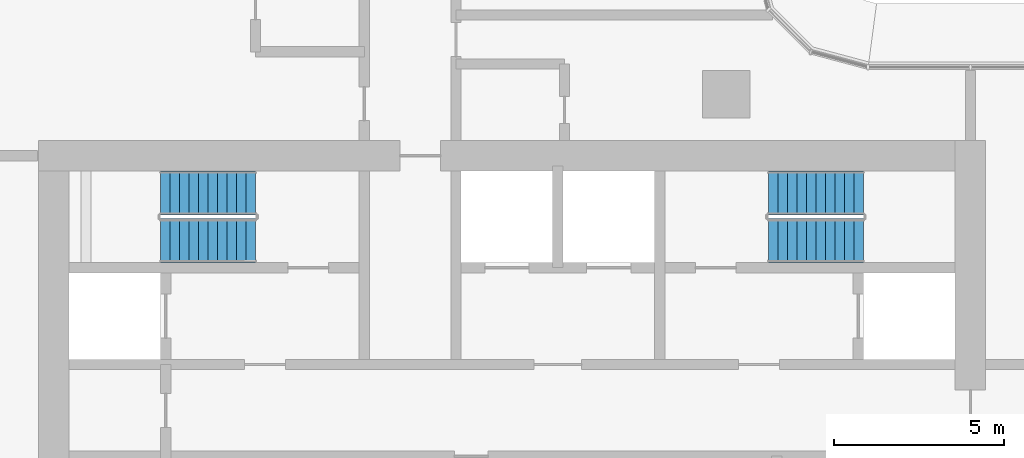
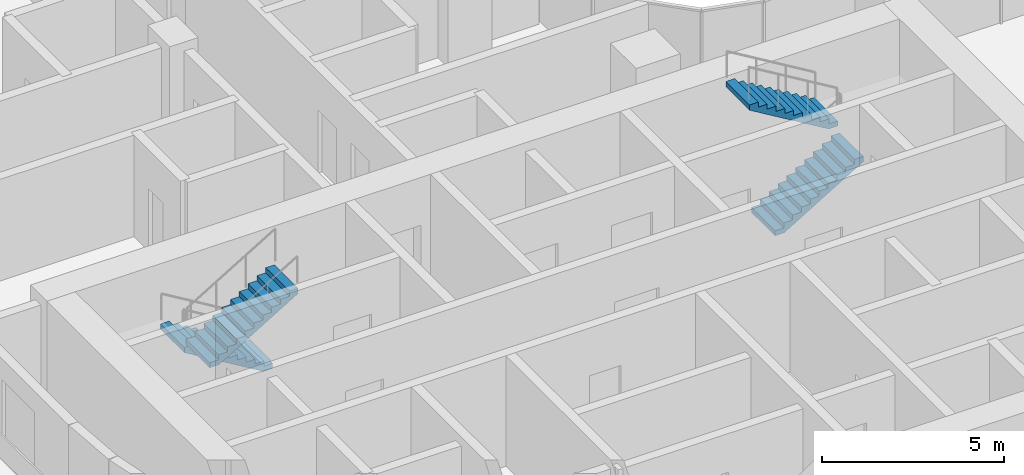
# One storey, part 25 of 36: 4 stair flights, 2 elements without a shape of their own.
"""IFC4 building model written with IfcOpenShell, lengths in metres."""

from ifc_helpers import new_model, si_unit, direction, frame, origin, place, context, subcontext, project, spatial, triangles, source, transform, mapped, material, type_object, element, aggregate, save


model = new_model("IFC4")

# Units and contexts
model_context = context("Model", 3, precision=1e-05, world=origin(), true_north=direction((0.0, 1.0)))
body_context = subcontext(model_context, "Body", "Model", "MODEL_VIEW")
ifc_project = project(units=[si_unit("LENGTHUNIT", "METRE"), si_unit("AREAUNIT", "SQUARE_METRE"), si_unit("VOLUMEUNIT", "CUBIC_METRE"), si_unit("PLANEANGLEUNIT", "RADIAN"), si_unit("MASSUNIT", "GRAM", prefix="KILO")], contexts=[model_context])

# Site, building, storey
site_placement = place(None, origin())
site = spatial("IfcSite", under=ifc_project, at=site_placement, CompositionType="ELEMENT")
building_placement = place(site_placement, origin())
building = spatial("IfcBuilding", under=site, at=building_placement, Name="Ogive Portal Towers", CompositionType="ELEMENT")
storey_placement = place(building_placement, frame((0.0, 0.0, 63.10009765625)))
storey = spatial("IfcBuildingStorey", under=building, at=storey_placement, Name="L14", CompositionType="ELEMENT", Elevation=63.10009765625)

# Stair, stair flights
ifc_material = material(Name="Concrete C40/50", Category="concrete")
stair_type = type_object("IfcStairType", Name="INT-STAIR", PredefinedType="HALF_TURN_STAIR", material=ifc_material)
stair_1_placement = place(storey_placement, origin())
stair_1 = element("IfcStair", 1, at=stair_1_placement, inside=storey, type_object=stair_type, Name="L14 Exit Stair ST-A1", PredefinedType="HALF_TURN_STAIR")
stair_flight_type = type_object("IfcStairFlightType", Name="INT-FLIGHT", PredefinedType="STRAIGHT", material=ifc_material)
shared_shape = source(origin(), body_context, "Body", "Tessellation", [
    triangles([(0.0, -0.650146484375, 0.0), (0.0, -0.376220703125, 0.0), (0.0, -0.192626953125, 0.0), (0.0, -0.081298828125, 0.0), (0.0, -0.024169921875, 0.0), (0.0, -0.003173828125, 0.0), (0.0, 0.0, 0.0), (0.0, 0.0029296875, 0.0), (0.0, 0.02392578125, 0.0), (0.0, 0.0810546875, 0.0), (0.0, 0.1923828125, 0.0), (0.0, 0.3759765625, 0.0), (0.0, 0.64990234375, 0.0), (0.0, -0.650146484375, 0.168212890625), (0.0, -0.376220703125, 0.168212890625), (0.0, -0.192626953125, 0.168212890625), (0.0, -0.081298828125, 0.168212890625), (0.0, -0.024169921875, 0.168212890625), (0.0, -0.003173828125, 0.168212890625), (0.0, 0.0, 0.168212890625), (0.0, 0.0029296875, 0.168212890625), (0.0, 0.02392578125, 0.168212890625), (0.0, 0.0810546875, 0.168212890625), (0.0, 0.1923828125, 0.168212890625), (0.0, 0.3759765625, 0.168212890625), (0.0, 0.64990234375, 0.168212890625), (0.280029296875, -0.650146484375, 0.168212890625), (0.280029296875, -0.376220703125, 0.168212890625), (0.280029296875, -0.192626953125, 0.168212890625), (0.280029296875, -0.081298828125, 0.168212890625), (0.280029296875, -0.024169921875, 0.168212890625), (0.280029296875, -0.003173828125, 0.168212890625), (0.280029296875, 0.0, 0.168212890625), (0.280029296875, 0.0029296875, 0.168212890625), (0.280029296875, 0.02392578125, 0.168212890625), (0.280029296875, 0.0810546875, 0.168212890625), (0.280029296875, 0.1923828125, 0.168212890625), (0.280029296875, 0.3759765625, 0.168212890625), (0.280029296875, 0.64990234375, 0.168212890625), (0.280029296875, -0.650146484375, 0.33642578125), (0.280029296875, -0.376220703125, 0.33642578125), (0.280029296875, -0.192626953125, 0.33642578125), (0.280029296875, -0.081298828125, 0.33642578125), (0.280029296875, -0.024169921875, 0.33642578125), (0.280029296875, -0.003173828125, 0.33642578125), (0.280029296875, 0.0, 0.33642578125), (0.280029296875, 0.0029296875, 0.33642578125), (0.280029296875, 0.02392578125, 0.33642578125), (0.280029296875, 0.0810546875, 0.33642578125), (0.280029296875, 0.1923828125, 0.33642578125), (0.280029296875, 0.3759765625, 0.33642578125), (0.280029296875, 0.64990234375, 0.33642578125), (0.56005859375, -0.650146484375, 0.33642578125), (0.56005859375, -0.376220703125, 0.33642578125), (0.56005859375, -0.192626953125, 0.33642578125), (0.56005859375, -0.081298828125, 0.33642578125), (0.56005859375, -0.024169921875, 0.33642578125), (0.56005859375, -0.003173828125, 0.33642578125), (0.56005859375, 0.0, 0.33642578125), (0.56005859375, 0.0029296875, 0.33642578125), (0.56005859375, 0.02392578125, 0.33642578125), (0.56005859375, 0.0810546875, 0.33642578125), (0.56005859375, 0.1923828125, 0.33642578125), (0.56005859375, 0.3759765625, 0.33642578125), (0.56005859375, 0.64990234375, 0.33642578125), (0.56005859375, -0.650146484375, 0.504638671875), (0.56005859375, -0.376220703125, 0.504638671875), (0.56005859375, -0.192626953125, 0.504638671875), (0.56005859375, -0.081298828125, 0.504638671875), (0.56005859375, -0.024169921875, 0.504638671875), (0.56005859375, -0.003173828125, 0.504638671875), (0.56005859375, 0.0, 0.504638671875), (0.56005859375, 0.0029296875, 0.504638671875), (0.56005859375, 0.02392578125, 0.504638671875), (0.56005859375, 0.0810546875, 0.504638671875), (0.56005859375, 0.1923828125, 0.504638671875), (0.56005859375, 0.3759765625, 0.504638671875), (0.56005859375, 0.64990234375, 0.504638671875), (0.840087890625, -0.650146484375, 0.504638671875), (0.840087890625, -0.376220703125, 0.504638671875), (0.840087890625, -0.192626953125, 0.504638671875), (0.840087890625, -0.081298828125, 0.504638671875), (0.840087890625, -0.024169921875, 0.504638671875), (0.840087890625, -0.003173828125, 0.504638671875), (0.840087890625, 0.0, 0.504638671875), (0.840087890625, 0.0029296875, 0.504638671875), (0.840087890625, 0.02392578125, 0.504638671875), (0.840087890625, 0.0810546875, 0.504638671875), (0.840087890625, 0.1923828125, 0.504638671875), (0.840087890625, 0.3759765625, 0.504638671875), (0.840087890625, 0.64990234375, 0.504638671875), (0.840087890625, -0.650146484375, 0.672607421875), (0.840087890625, -0.376220703125, 0.672607421875), (0.840087890625, -0.192626953125, 0.672607421875), (0.840087890625, -0.081298828125, 0.672607421875), (0.840087890625, -0.024169921875, 0.672607421875), (0.840087890625, -0.003173828125, 0.672607421875), (0.840087890625, 0.0, 0.672607421875), (0.840087890625, 0.0029296875, 0.672607421875), (0.840087890625, 0.02392578125, 0.672607421875), (0.840087890625, 0.0810546875, 0.672607421875), (0.840087890625, 0.1923828125, 0.672607421875), (0.840087890625, 0.3759765625, 0.672607421875), (0.840087890625, 0.64990234375, 0.672607421875), (1.1201171875, -0.650146484375, 0.672607421875), (1.1201171875, -0.376220703125, 0.672607421875), (1.1201171875, -0.192626953125, 0.672607421875), (1.1201171875, -0.081298828125, 0.672607421875), (1.1201171875, -0.024169921875, 0.672607421875), (1.1201171875, -0.003173828125, 0.672607421875), (1.1201171875, 0.0, 0.672607421875), (1.1201171875, 0.0029296875, 0.672607421875), (1.1201171875, 0.02392578125, 0.672607421875), (1.1201171875, 0.0810546875, 0.672607421875), (1.1201171875, 0.1923828125, 0.672607421875), (1.1201171875, 0.3759765625, 0.672607421875), (1.1201171875, 0.64990234375, 0.672607421875), (1.1201171875, -0.650146484375, 0.8408203125), (1.1201171875, -0.376220703125, 0.8408203125), (1.1201171875, -0.192626953125, 0.8408203125), (1.1201171875, -0.081298828125, 0.8408203125), (1.1201171875, -0.024169921875, 0.8408203125), (1.1201171875, -0.003173828125, 0.8408203125), (1.1201171875, 0.0, 0.8408203125), (1.1201171875, 0.0029296875, 0.8408203125), (1.1201171875, 0.02392578125, 0.8408203125), (1.1201171875, 0.0810546875, 0.8408203125), (1.1201171875, 0.1923828125, 0.8408203125), (1.1201171875, 0.3759765625, 0.8408203125), (1.1201171875, 0.64990234375, 0.8408203125), (1.39990234375, -0.650146484375, 0.8408203125), (1.39990234375, -0.376220703125, 0.8408203125), (1.39990234375, -0.192626953125, 0.8408203125), (1.39990234375, -0.081298828125, 0.8408203125), (1.39990234375, -0.024169921875, 0.8408203125), (1.39990234375, -0.003173828125, 0.8408203125), (1.39990234375, 0.0, 0.8408203125), (1.39990234375, 0.0029296875, 0.8408203125), (1.39990234375, 0.02392578125, 0.8408203125), (1.39990234375, 0.0810546875, 0.8408203125), (1.39990234375, 0.1923828125, 0.8408203125), (1.39990234375, 0.3759765625, 0.8408203125), (1.39990234375, 0.64990234375, 0.8408203125), (1.39990234375, -0.650146484375, 1.009033203125), (1.39990234375, -0.376220703125, 1.009033203125), (1.39990234375, -0.192626953125, 1.009033203125), (1.39990234375, -0.081298828125, 1.009033203125), (1.39990234375, -0.024169921875, 1.009033203125), (1.39990234375, -0.003173828125, 1.009033203125), (1.39990234375, 0.0, 1.009033203125), (1.39990234375, 0.0029296875, 1.009033203125), (1.39990234375, 0.02392578125, 1.009033203125), (1.39990234375, 0.0810546875, 1.009033203125), (1.39990234375, 0.1923828125, 1.009033203125), (1.39990234375, 0.3759765625, 1.009033203125), (1.39990234375, 0.64990234375, 1.009033203125), (1.679931640625, -0.650146484375, 1.009033203125), (1.679931640625, -0.376220703125, 1.009033203125), (1.679931640625, -0.192626953125, 1.009033203125), (1.679931640625, -0.081298828125, 1.009033203125), (1.679931640625, -0.024169921875, 1.009033203125), (1.679931640625, -0.003173828125, 1.009033203125), (1.679931640625, 0.0, 1.009033203125), (1.679931640625, 0.0029296875, 1.009033203125), (1.679931640625, 0.02392578125, 1.009033203125), (1.679931640625, 0.0810546875, 1.009033203125), (1.679931640625, 0.1923828125, 1.009033203125), (1.679931640625, 0.3759765625, 1.009033203125), (1.679931640625, 0.64990234375, 1.009033203125), (1.679931640625, -0.650146484375, 1.17724609375), (1.679931640625, -0.376220703125, 1.17724609375), (1.679931640625, -0.192626953125, 1.17724609375), (1.679931640625, -0.081298828125, 1.17724609375), (1.679931640625, -0.024169921875, 1.17724609375), (1.679931640625, -0.003173828125, 1.17724609375), (1.679931640625, 0.0, 1.17724609375), (1.679931640625, 0.0029296875, 1.17724609375), (1.679931640625, 0.02392578125, 1.17724609375), (1.679931640625, 0.0810546875, 1.17724609375), (1.679931640625, 0.1923828125, 1.17724609375), (1.679931640625, 0.3759765625, 1.17724609375), (1.679931640625, 0.64990234375, 1.17724609375), (1.9599609375, -0.650146484375, 1.17724609375), (1.9599609375, -0.376220703125, 1.17724609375), (1.9599609375, -0.192626953125, 1.17724609375), (1.9599609375, -0.081298828125, 1.17724609375), (1.9599609375, -0.024169921875, 1.17724609375), (1.9599609375, -0.003173828125, 1.17724609375), (1.9599609375, 0.0, 1.17724609375), (1.9599609375, 0.0029296875, 1.17724609375), (1.9599609375, 0.02392578125, 1.17724609375), (1.9599609375, 0.0810546875, 1.17724609375), (1.9599609375, 0.1923828125, 1.17724609375), (1.9599609375, 0.3759765625, 1.17724609375), (1.9599609375, 0.64990234375, 1.17724609375), (1.9599609375, -0.650146484375, 1.345458984375), (1.9599609375, -0.376220703125, 1.345458984375), (1.9599609375, -0.192626953125, 1.345458984375), (1.9599609375, -0.081298828125, 1.345458984375), (1.9599609375, -0.024169921875, 1.345458984375), (1.9599609375, -0.003173828125, 1.345458984375), (1.9599609375, 0.0, 1.345458984375), (1.9599609375, 0.0029296875, 1.345458984375), (1.9599609375, 0.02392578125, 1.345458984375), (1.9599609375, 0.0810546875, 1.345458984375), (1.9599609375, 0.1923828125, 1.345458984375), (1.9599609375, 0.3759765625, 1.345458984375), (1.9599609375, 0.64990234375, 1.345458984375), (2.239990234375, -0.650146484375, 1.345458984375), (2.239990234375, -0.376220703125, 1.345458984375), (2.239990234375, -0.192626953125, 1.345458984375), (2.239990234375, -0.081298828125, 1.345458984375), (2.239990234375, -0.024169921875, 1.345458984375), (2.239990234375, -0.003173828125, 1.345458984375), (2.239990234375, 0.0, 1.345458984375), (2.239990234375, 0.0029296875, 1.345458984375), (2.239990234375, 0.02392578125, 1.345458984375), (2.239990234375, 0.0810546875, 1.345458984375), (2.239990234375, 0.1923828125, 1.345458984375), (2.239990234375, 0.3759765625, 1.345458984375), (2.239990234375, 0.64990234375, 1.345458984375), (2.239990234375, -0.650146484375, 1.513671875), (2.239990234375, -0.376220703125, 1.513671875), (2.239990234375, -0.192626953125, 1.513671875), (2.239990234375, -0.081298828125, 1.513671875), (2.239990234375, -0.024169921875, 1.513671875), (2.239990234375, -0.003173828125, 1.513671875), (2.239990234375, 0.0, 1.513671875), (2.239990234375, 0.0029296875, 1.513671875), (2.239990234375, 0.02392578125, 1.513671875), (2.239990234375, 0.0810546875, 1.513671875), (2.239990234375, 0.1923828125, 1.513671875), (2.239990234375, 0.3759765625, 1.513671875), (2.239990234375, 0.64990234375, 1.513671875), (2.52001953125, -0.650146484375, 1.513671875), (2.52001953125, -0.376220703125, 1.513671875), (2.52001953125, -0.192626953125, 1.513671875), (2.52001953125, -0.081298828125, 1.513671875), (2.52001953125, -0.024169921875, 1.513671875), (2.52001953125, -0.003173828125, 1.513671875), (2.52001953125, 0.0, 1.513671875), (2.52001953125, 0.0029296875, 1.513671875), (2.52001953125, 0.02392578125, 1.513671875), (2.52001953125, 0.0810546875, 1.513671875), (2.52001953125, 0.1923828125, 1.513671875), (2.52001953125, 0.3759765625, 1.513671875), (2.52001953125, 0.64990234375, 1.513671875), (2.52001953125, -0.650146484375, 1.681884765625), (2.52001953125, -0.376220703125, 1.681884765625), (2.52001953125, -0.192626953125, 1.681884765625), (2.52001953125, -0.081298828125, 1.681884765625), (2.52001953125, -0.024169921875, 1.681884765625), (2.52001953125, -0.003173828125, 1.681884765625), (2.52001953125, 0.0, 1.681884765625), (2.52001953125, 0.0029296875, 1.681884765625), (2.52001953125, 0.02392578125, 1.681884765625), (2.52001953125, 0.0810546875, 1.681884765625), (2.52001953125, 0.1923828125, 1.681884765625), (2.52001953125, 0.3759765625, 1.681884765625), (2.52001953125, 0.64990234375, 1.681884765625), (2.800048828125, -0.650146484375, 1.681884765625), (2.800048828125, -0.376220703125, 1.681884765625), (2.800048828125, -0.192626953125, 1.681884765625), (2.800048828125, -0.081298828125, 1.681884765625), (2.800048828125, -0.024169921875, 1.681884765625), (2.800048828125, -0.003173828125, 1.681884765625), (2.800048828125, 0.0, 1.681884765625), (2.800048828125, 0.0029296875, 1.681884765625), (2.800048828125, 0.02392578125, 1.681884765625), (2.800048828125, 0.0810546875, 1.681884765625), (2.800048828125, 0.1923828125, 1.681884765625), (2.800048828125, 0.3759765625, 1.681884765625), (2.800048828125, 0.64990234375, 1.681884765625), (2.800048828125, -0.650146484375, 1.5068359375), (2.800048828125, -0.376220703125, 1.5068359375), (2.800048828125, -0.192626953125, 1.5068359375), (2.800048828125, -0.081298828125, 1.5068359375), (2.800048828125, -0.024169921875, 1.5068359375), (2.800048828125, -0.003173828125, 1.5068359375), (2.800048828125, 0.0, 1.5068359375), (2.800048828125, 0.0029296875, 1.5068359375), (2.800048828125, 0.02392578125, 1.5068359375), (2.800048828125, 0.0810546875, 1.5068359375), (2.800048828125, 0.1923828125, 1.5068359375), (2.800048828125, 0.3759765625, 1.5068359375), (2.800048828125, 0.64990234375, 1.5068359375), (0.291015625, -0.650146484375, 0.0), (0.291015625, -0.376220703125, 0.0), (0.291015625, -0.192626953125, 0.0), (0.291015625, -0.081298828125, 0.0), (0.291015625, -0.024169921875, 0.0), (0.291015625, -0.003173828125, 0.0), (0.291015625, 0.0, 0.0), (0.291015625, 0.0029296875, 0.0), (0.291015625, 0.02392578125, 0.0), (0.291015625, 0.0810546875, 0.0), (0.291015625, 0.1923828125, 0.0), (0.291015625, 0.3759765625, 0.0), (0.291015625, 0.64990234375, 0.0)], [[1, 14, 15], [1, 15, 2], [2, 15, 16], [2, 16, 3], [3, 16, 17], [3, 17, 4], [4, 17, 18], [4, 18, 5], [5, 18, 19], [5, 19, 6], [6, 19, 20], [6, 20, 7], [7, 20, 21], [7, 21, 8], [8, 21, 22], [8, 22, 9], [9, 22, 23], [9, 23, 10], [10, 23, 24], [10, 24, 11], [11, 24, 25], [11, 25, 12], [12, 25, 26], [12, 26, 13], [14, 27, 28], [14, 28, 15], [15, 28, 29], [15, 29, 16], [16, 29, 30], [16, 30, 17], [17, 30, 31], [17, 31, 18], [18, 31, 32], [18, 32, 19], [19, 32, 33], [19, 33, 20], [20, 33, 34], [20, 34, 21], [21, 34, 35], [21, 35, 22], [22, 35, 36], [22, 36, 23], [23, 36, 37], [23, 37, 24], [24, 37, 38], [24, 38, 25], [25, 38, 39], [25, 39, 26], [27, 40, 41], [27, 41, 28], [28, 41, 42], [28, 42, 29], [29, 42, 43], [29, 43, 30], [30, 43, 44], [30, 44, 31], [31, 44, 45], [31, 45, 32], [32, 45, 46], [32, 46, 33], [33, 46, 47], [33, 47, 34], [34, 47, 48], [34, 48, 35], [35, 48, 49], [35, 49, 36], [36, 49, 50], [36, 50, 37], [37, 50, 51], [37, 51, 38], [38, 51, 52], [38, 52, 39], [40, 53, 54], [40, 54, 41], [41, 54, 55], [41, 55, 42], [42, 55, 56], [42, 56, 43], [43, 56, 57], [43, 57, 44], [44, 57, 58], [44, 58, 45], [45, 58, 59], [45, 59, 46], [46, 59, 60], [46, 60, 47], [47, 60, 61], [47, 61, 48], [48, 61, 62], [48, 62, 49], [49, 62, 63], [49, 63, 50], [50, 63, 64], [50, 64, 51], [51, 64, 65], [51, 65, 52], [53, 66, 67], [53, 67, 54], [54, 67, 68], [54, 68, 55], [55, 68, 69], [55, 69, 56], [56, 69, 70], [56, 70, 57], [57, 70, 71], [57, 71, 58], [58, 71, 72], [58, 72, 59], [59, 72, 73], [59, 73, 60], [60, 73, 74], [60, 74, 61], [61, 74, 75], [61, 75, 62], [62, 75, 76], [62, 76, 63], [63, 76, 77], [63, 77, 64], [64, 77, 78], [64, 78, 65], [66, 79, 80], [66, 80, 67], [67, 80, 81], [67, 81, 68], [68, 81, 82], [68, 82, 69], [69, 82, 83], [69, 83, 70], [70, 83, 84], [70, 84, 71], [71, 84, 85], [71, 85, 72], [72, 85, 86], [72, 86, 73], [73, 86, 87], [73, 87, 74], [74, 87, 88], [74, 88, 75], [75, 88, 89], [75, 89, 76], [76, 89, 90], [76, 90, 77], [77, 90, 91], [77, 91, 78], [79, 92, 93], [79, 93, 80], [80, 93, 94], [80, 94, 81], [81, 94, 95], [81, 95, 82], [82, 95, 96], [82, 96, 83], [83, 96, 97], [83, 97, 84], [84, 97, 98], [84, 98, 85], [85, 98, 99], [85, 99, 86], [86, 99, 100], [86, 100, 87], [87, 100, 101], [87, 101, 88], [88, 101, 102], [88, 102, 89], [89, 102, 103], [89, 103, 90], [90, 103, 104], [90, 104, 91], [92, 105, 106], [92, 106, 93], [93, 106, 107], [93, 107, 94], [94, 107, 108], [94, 108, 95], [95, 108, 109], [95, 109, 96], [96, 109, 110], [96, 110, 97], [97, 110, 111], [97, 111, 98], [98, 111, 112], [98, 112, 99], [99, 112, 113], [99, 113, 100], [100, 113, 114], [100, 114, 101], [101, 114, 115], [101, 115, 102], [102, 115, 116], [102, 116, 103], [103, 116, 117], [103, 117, 104], [105, 118, 119], [105, 119, 106], [106, 119, 120], [106, 120, 107], [107, 120, 121], [107, 121, 108], [108, 121, 122], [108, 122, 109], [109, 122, 123], [109, 123, 110], [110, 123, 124], [110, 124, 111], [111, 124, 125], [111, 125, 112], [112, 125, 126], [112, 126, 113], [113, 126, 127], [113, 127, 114], [114, 127, 128], [114, 128, 115], [115, 128, 129], [115, 129, 116], [116, 129, 130], [116, 130, 117], [118, 131, 132], [118, 132, 119], [119, 132, 133], [119, 133, 120], [120, 133, 134], [120, 134, 121], [121, 134, 135], [121, 135, 122], [122, 135, 136], [122, 136, 123], [123, 136, 137], [123, 137, 124], [124, 137, 138], [124, 138, 125], [125, 138, 139], [125, 139, 126], [126, 139, 140], [126, 140, 127], [127, 140, 141], [127, 141, 128], [128, 141, 142], [128, 142, 129], [129, 142, 143], [129, 143, 130], [131, 144, 145], [131, 145, 132], [132, 145, 146], [132, 146, 133], [133, 146, 147], [133, 147, 134], [134, 147, 148], [134, 148, 135], [135, 148, 149], [135, 149, 136], [136, 149, 150], [136, 150, 137], [137, 150, 151], [137, 151, 138], [138, 151, 152], [138, 152, 139], [139, 152, 153], [139, 153, 140], [140, 153, 154], [140, 154, 141], [141, 154, 155], [141, 155, 142], [142, 155, 156], [142, 156, 143], [144, 157, 158], [144, 158, 145], [145, 158, 159], [145, 159, 146], [146, 159, 160], [146, 160, 147], [147, 160, 161], [147, 161, 148], [148, 161, 162], [148, 162, 149], [149, 162, 163], [149, 163, 150], [150, 163, 164], [150, 164, 151], [151, 164, 165], [151, 165, 152], [152, 165, 166], [152, 166, 153], [153, 166, 167], [153, 167, 154], [154, 167, 168], [154, 168, 155], [155, 168, 169], [155, 169, 156], [157, 170, 171], [157, 171, 158], [158, 171, 172], [158, 172, 159], [159, 172, 173], [159, 173, 160], [160, 173, 174], [160, 174, 161], [161, 174, 175], [161, 175, 162], [162, 175, 176], [162, 176, 163], [163, 176, 177], [163, 177, 164], [164, 177, 178], [164, 178, 165], [165, 178, 179], [165, 179, 166], [166, 179, 180], [166, 180, 167], [167, 180, 181], [167, 181, 168], [168, 181, 182], [168, 182, 169], [170, 183, 184], [170, 184, 171], [171, 184, 185], [171, 185, 172], [172, 185, 186], [172, 186, 173], [173, 186, 187], [173, 187, 174], [174, 187, 188], [174, 188, 175], [175, 188, 189], [175, 189, 176], [176, 189, 190], [176, 190, 177], [177, 190, 191], [177, 191, 178], [178, 191, 192], [178, 192, 179], [179, 192, 193], [179, 193, 180], [180, 193, 194], [180, 194, 181], [181, 194, 195], [181, 195, 182], [183, 196, 197], [183, 197, 184], [184, 197, 198], [184, 198, 185], [185, 198, 199], [185, 199, 186], [186, 199, 200], [186, 200, 187], [187, 200, 201], [187, 201, 188], [188, 201, 202], [188, 202, 189], [189, 202, 203], [189, 203, 190], [190, 203, 204], [190, 204, 191], [191, 204, 205], [191, 205, 192], [192, 205, 206], [192, 206, 193], [193, 206, 207], [193, 207, 194], [194, 207, 208], [194, 208, 195], [196, 209, 210], [196, 210, 197], [197, 210, 211], [197, 211, 198], [198, 211, 212], [198, 212, 199], [199, 212, 213], [199, 213, 200], [200, 213, 214], [200, 214, 201], [201, 214, 215], [201, 215, 202], [202, 215, 216], [202, 216, 203], [203, 216, 217], [203, 217, 204], [204, 217, 218], [204, 218, 205], [205, 218, 219], [205, 219, 206], [206, 219, 220], [206, 220, 207], [207, 220, 221], [207, 221, 208], [209, 222, 223], [209, 223, 210], [210, 223, 224], [210, 224, 211], [211, 224, 225], [211, 225, 212], [212, 225, 226], [212, 226, 213], [213, 226, 227], [213, 227, 214], [214, 227, 228], [214, 228, 215], [215, 228, 229], [215, 229, 216], [216, 229, 230], [216, 230, 217], [217, 230, 231], [217, 231, 218], [218, 231, 232], [218, 232, 219], [219, 232, 233], [219, 233, 220], [220, 233, 234], [220, 234, 221], [222, 235, 236], [222, 236, 223], [223, 236, 237], [223, 237, 224], [224, 237, 238], [224, 238, 225], [225, 238, 239], [225, 239, 226], [226, 239, 240], [226, 240, 227], [227, 240, 241], [227, 241, 228], [228, 241, 242], [228, 242, 229], [229, 242, 243], [229, 243, 230], [230, 243, 244], [230, 244, 231], [231, 244, 245], [231, 245, 232], [232, 245, 246], [232, 246, 233], [233, 246, 247], [233, 247, 234], [235, 248, 249], [235, 249, 236], [236, 249, 250], [236, 250, 237], [237, 250, 251], [237, 251, 238], [238, 251, 252], [238, 252, 239], [239, 252, 253], [239, 253, 240], [240, 253, 254], [240, 254, 241], [241, 254, 255], [241, 255, 242], [242, 255, 256], [242, 256, 243], [243, 256, 257], [243, 257, 244], [244, 257, 258], [244, 258, 245], [245, 258, 259], [245, 259, 246], [246, 259, 260], [246, 260, 247], [248, 261, 262], [248, 262, 249], [249, 262, 263], [249, 263, 250], [250, 263, 264], [250, 264, 251], [251, 264, 265], [251, 265, 252], [252, 265, 266], [252, 266, 253], [253, 266, 267], [253, 267, 254], [254, 267, 268], [254, 268, 255], [255, 268, 269], [255, 269, 256], [256, 269, 270], [256, 270, 257], [257, 270, 271], [257, 271, 258], [258, 271, 272], [258, 272, 259], [259, 272, 273], [259, 273, 260], [261, 274, 275], [261, 275, 262], [262, 275, 276], [262, 276, 263], [263, 276, 277], [263, 277, 264], [264, 277, 278], [264, 278, 265], [265, 278, 279], [265, 279, 266], [266, 279, 280], [266, 280, 267], [267, 280, 281], [267, 281, 268], [268, 281, 282], [268, 282, 269], [269, 282, 283], [269, 283, 270], [270, 283, 284], [270, 284, 271], [271, 284, 285], [271, 285, 272], [272, 285, 286], [272, 286, 273], [274, 287, 288], [274, 288, 275], [275, 288, 289], [275, 289, 276], [276, 289, 290], [276, 290, 277], [277, 290, 291], [277, 291, 278], [278, 291, 292], [278, 292, 279], [279, 292, 293], [279, 293, 280], [280, 293, 294], [280, 294, 281], [281, 294, 295], [281, 295, 282], [282, 295, 296], [282, 296, 283], [283, 296, 297], [283, 297, 284], [284, 297, 298], [284, 298, 285], [285, 298, 299], [285, 299, 286], [287, 1, 2], [287, 2, 288], [288, 2, 3], [288, 3, 289], [289, 3, 4], [289, 4, 290], [290, 4, 5], [290, 5, 291], [291, 5, 6], [291, 6, 292], [292, 6, 7], [292, 7, 293], [293, 7, 8], [293, 8, 294], [294, 8, 9], [294, 9, 295], [295, 9, 10], [295, 10, 296], [296, 10, 11], [296, 11, 297], [297, 11, 12], [297, 12, 298], [298, 12, 13], [298, 13, 299], [1, 287, 274], [13, 286, 299], [274, 261, 248], [286, 260, 273], [274, 248, 235], [286, 247, 260], [274, 235, 222], [286, 234, 247], [274, 222, 209], [286, 221, 234], [209, 196, 183], [221, 195, 208], [274, 209, 183], [286, 195, 221], [183, 170, 157], [195, 169, 182], [274, 183, 157], [286, 169, 195], [157, 144, 131], [169, 143, 156], [274, 157, 131], [286, 143, 169], [131, 118, 105], [143, 117, 130], [274, 131, 105], [286, 117, 143], [1, 274, 105], [13, 117, 286], [105, 92, 79], [117, 91, 104], [79, 66, 53], [91, 65, 78], [105, 79, 53], [117, 65, 91], [53, 40, 27], [65, 39, 52], [105, 53, 27], [117, 39, 65], [1, 105, 27], [13, 39, 117], [27, 14, 1], [39, 13, 26]], closed=True),
])
stair_flight_1_placement = place(storey_placement, frame((37.449951171875, 38.39990234375, 0.0), z_axis=(0.0, 0.0, 1.0), x_axis=(-1.0, 0.0, 0.0)))
stair_flight_1 = element("IfcStairFlight", 2, at=stair_flight_1_placement, type_object=stair_flight_type, Name="ST-A1 flight 1", NumberOfRisers=11, NumberOfTreads=10, PredefinedType="STRAIGHT", RiserHeight=0.168181818, TreadLength=0.28, context=body_context, shape_type="MappedRepresentation", body=[
    mapped(shared_shape, transform((0.0, 0.0, 0.0), scale=1.0)),
])
stair_flight_2_placement = place(storey_placement, frame((34.64990234375, 37.0, 1.849853515625), z_axis=(0.0, 0.0, 1.0), x_axis=(1.0, 0.0, 0.0)))
stair_flight_2 = element("IfcStairFlight", 3, at=stair_flight_2_placement, type_object=stair_flight_type, Name="ST-A1 flight 2", NumberOfRisers=11, NumberOfTreads=10, PredefinedType="STRAIGHT", RiserHeight=0.168181818, TreadLength=0.28, context=body_context, shape_type="MappedRepresentation", body=[
    mapped(shared_shape, transform((0.0, 0.0, 0.0), scale=1.0)),
])
aggregate(stair_1, [stair_flight_1, stair_flight_2])

stair_2_placement = place(storey_placement, origin())
stair_2 = element("IfcStair", 4, at=stair_2_placement, inside=storey, type_object=stair_type, Name="L14 Exit Stair ST-A2", PredefinedType="HALF_TURN_STAIR")
stair_flight_3_placement = place(storey_placement, frame((52.550048828125, 37.0, 0.0), z_axis=(0.0, 0.0, 1.0), x_axis=(1.0, 0.0, 0.0)))
stair_flight_3 = element("IfcStairFlight", 5, at=stair_flight_3_placement, type_object=stair_flight_type, Name="ST-A2 flight 1", NumberOfRisers=11, NumberOfTreads=10, PredefinedType="STRAIGHT", RiserHeight=0.168181818, TreadLength=0.28, context=body_context, shape_type="MappedRepresentation", body=[
    mapped(shared_shape, transform((0.0, 0.0, 0.0), scale=1.0)),
])
stair_flight_4_placement = place(storey_placement, frame((55.35009765625, 38.39990234375, 1.849853515625), z_axis=(0.0, 0.0, 1.0), x_axis=(-1.0, 0.0, 0.0)))
stair_flight_4 = element("IfcStairFlight", 6, at=stair_flight_4_placement, type_object=stair_flight_type, Name="ST-A2 flight 2", NumberOfRisers=11, NumberOfTreads=10, PredefinedType="STRAIGHT", RiserHeight=0.168181818, TreadLength=0.28, context=body_context, shape_type="MappedRepresentation", body=[
    mapped(shared_shape, transform((0.0, 0.0, 0.0), scale=1.0)),
])
aggregate(stair_2, [stair_flight_3, stair_flight_4])

save(model, "model.ifc")
